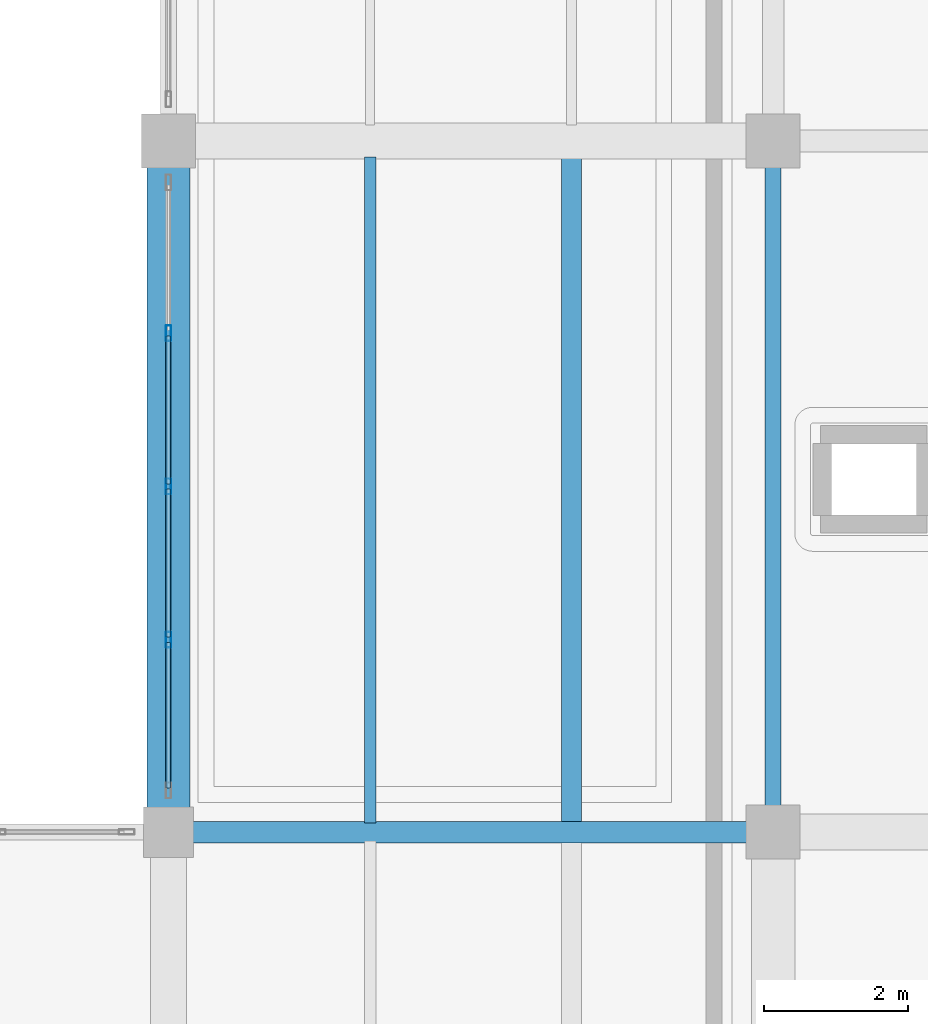
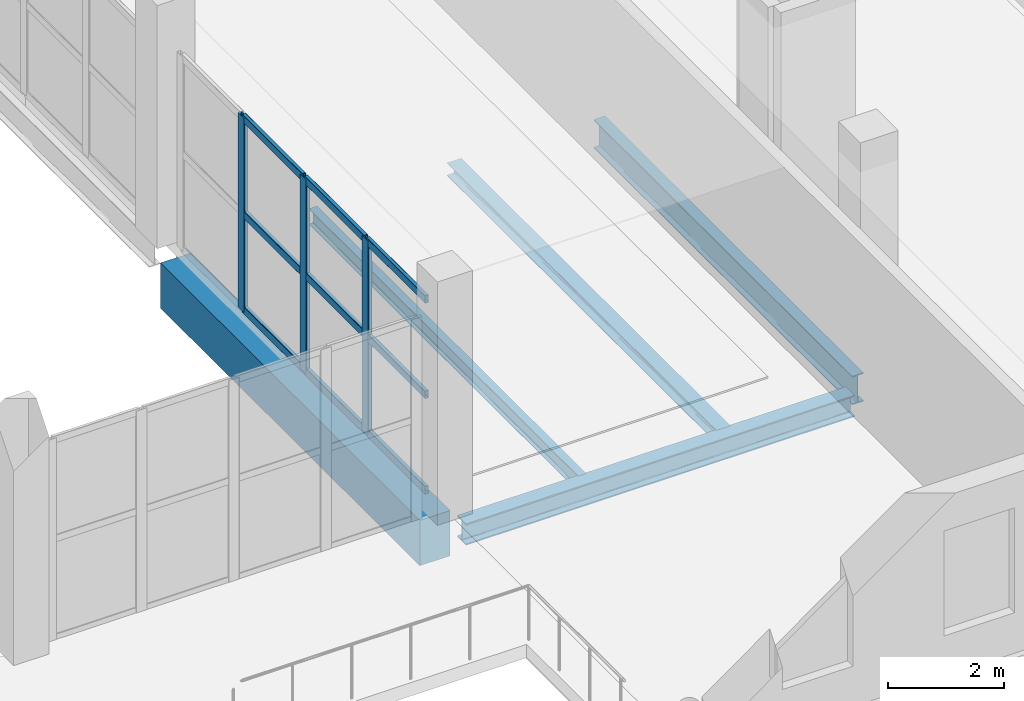
# One storey, part 15 of 66: 12 members, 5 beams, 1 element without a shape of its own.
"""IFC4 building model written with IfcOpenShell, lengths in metres."""

from ifc_helpers import new_model, si_unit, direction, frame, origin, origin_2d, place, context, subcontext, project, spatial, rectangle, hollow_rectangle, i_section, extrude, material, layer, layer_set, material_profile, profile_set, type_object, element, aggregate, save


model = new_model("IFC4")

# Units and contexts
model_context = context("Model", 3, precision=1e-05, world=origin(), true_north=direction((0.0, 1.0)))
body_context = subcontext(model_context, "Body", "Model", "MODEL_VIEW")
ifc_project = project(units=[si_unit("LENGTHUNIT", "METRE"), si_unit("AREAUNIT", "SQUARE_METRE"), si_unit("VOLUMEUNIT", "CUBIC_METRE"), si_unit("PLANEANGLEUNIT", "RADIAN"), si_unit("MASSUNIT", "GRAM", prefix="KILO")], contexts=[model_context])

# Site, building, storey
site_placement = place(None, origin())
site = spatial("IfcSite", under=ifc_project, at=site_placement, CompositionType="ELEMENT")
building_placement = place(site_placement, origin())
building = spatial("IfcBuilding", under=site, at=building_placement, Name="Zulmaris Art Gallery", CompositionType="ELEMENT")
storey_placement = place(building_placement, frame((0.0, 0.0, 5.39990234375)))
storey = spatial("IfcBuildingStorey", under=building, at=storey_placement, Name="L01", CompositionType="ELEMENT", Elevation=5.39990234375)

# Beams
ifc_material_1 = material(Name="Steel S355J2", Category="steel")
ifc_material_profile_1 = material_profile(ifc_material_1, i_section(OverallWidth=0.219970703125, OverallDepth=0.60009765625, WebThickness=0.011962890625, FlangeThickness=0.01904296875, FilletRadius=0.02392578125, at=origin_2d()), Name="IPE 600")
ifc_profile_set_1 = profile_set([ifc_material_profile_1], Name="Steel S355J2")
beam_type_1 = type_object("IfcBeamType", Name="BEAM-BM07", PredefinedType="BEAM", material=ifc_profile_set_1)
beam_1_placement = place(storey_placement, frame((133.199951171875, 21.9599609375, -0.6298828125), z_axis=(0.0, 1.0, 0.0), x_axis=(-1.0, 0.0, 0.0)))
element("IfcBeam", 1, at=beam_1_placement, inside=storey, type_object=beam_type_1, Name="L01 Y-girder (x=133.2, 21.6..31.2)", PredefinedType="BEAM", context=body_context, shape_type="SweptSolid", body=[
    extrude(i_section(OverallWidth=0.219970703125, OverallDepth=0.60009765625, WebThickness=0.011962890625, FlangeThickness=0.01904296875, FilletRadius=0.02392578125, at=origin_2d()), origin(), (0.0, 0.0, 1.0), 8.880126953125),
])
ifc_material_profile_2 = material_profile(ifc_material_1, i_section(OverallWidth=0.300048828125, OverallDepth=0.449951171875, WebThickness=0.013916015625, FlangeThickness=0.02587890625, FilletRadius=0.027099609375, at=origin_2d()), Name="HEB 450")
ifc_profile_set_2 = profile_set([ifc_material_profile_2], Name="Steel S355J2")
beam_type_2 = type_object("IfcBeamType", Name="BEAM-BM13", PredefinedType="BEAM", material=ifc_profile_set_2)
beam_2_placement = place(storey_placement, frame((125.135009765625, 21.60009765625, -0.554931640625), z_axis=(1.0, 0.0, 0.0), x_axis=(0.0, 1.0, 0.0)))
element("IfcBeam", 2, at=beam_2_placement, inside=storey, type_object=beam_type_2, Name="L01 X-girder (124.8..133.2, y=21.6)", PredefinedType="BEAM", context=body_context, shape_type="SweptSolid", body=[
    extrude(i_section(OverallWidth=0.300048828125, OverallDepth=0.449951171875, WebThickness=0.013916015625, FlangeThickness=0.02587890625, FilletRadius=0.027099609375, at=origin_2d()), origin(), (0.0, 0.0, 1.0), 7.705078125),
])
ifc_material_2 = material(Name="Concrete C40/50", Category="concrete")
ifc_material_profile_3 = material_profile(ifc_material_2, rectangle(XDim=0.60009765625, YDim=0.949951171875, at=origin_2d()), Name="RC 600x950")
ifc_profile_set_3 = profile_set([ifc_material_profile_3], Name="Concrete C40/50")
beam_type_3 = type_object("IfcBeamType", Name="BEAM-BM22", PredefinedType="BEAM", material=ifc_profile_set_3)
beam_3_placement = place(storey_placement, frame((124.800048828125, 21.93505859375, -0.804931640625), z_axis=(0.0, 1.0, 0.0), x_axis=(-1.0, 0.0, 0.0)))
element("IfcBeam", 3, at=beam_3_placement, inside=storey, type_object=beam_type_3, Name="L01 Y-girder (x=124.8, 21.6..31.2)", PredefinedType="BEAM", context=body_context, shape_type="SweptSolid", body=[
    extrude(rectangle(XDim=0.60009765625, YDim=0.949951171875, at=origin_2d()), origin(), (0.0, 0.0, 1.0), 8.905029296875),
])
ifc_material_profile_4 = material_profile(ifc_material_1, i_section(OverallWidth=0.159912109375, OverallDepth=0.330078125, WebThickness=0.007568359375, FlangeThickness=0.011474609375, FilletRadius=0.01806640625, at=origin_2d()), Name="IPE 330")
ifc_profile_set_4 = profile_set([ifc_material_profile_4], Name="Steel S355J2")
beam_type_4 = type_object("IfcBeamType", Name="BEAM-JS03", PredefinedType="JOIST", material=ifc_profile_set_4)
beam_4_placement = place(storey_placement, frame((127.60009765625, 21.72509765625, -0.494873046875), z_axis=(0.0, 1.0, 0.0), x_axis=(-1.0, 0.0, 0.0)))
element("IfcBeam", 4, at=beam_4_placement, inside=storey, type_object=beam_type_4, Name="L01 secondary joist at x=127.6", PredefinedType="JOIST", context=body_context, shape_type="SweptSolid", body=[
    extrude(i_section(OverallWidth=0.159912109375, OverallDepth=0.330078125, WebThickness=0.007568359375, FlangeThickness=0.011474609375, FilletRadius=0.01806640625, at=origin_2d()), origin(), (0.0, 0.0, 1.0), 9.25),
])
ifc_material_profile_5 = material_profile(ifc_material_1, i_section(OverallWidth=0.280029296875, OverallDepth=0.27001953125, WebThickness=0.008056640625, FlangeThickness=0.012939453125, FilletRadius=0.02392578125, at=origin_2d()), Name="HEA 280")
ifc_profile_set_5 = profile_set([ifc_material_profile_5], Name="Steel S355J2")
beam_type_5 = type_object("IfcBeamType", Name="BEAM-JS04", PredefinedType="JOIST", material=ifc_profile_set_5)
beam_5_placement = place(storey_placement, frame((130.39990234375, 21.72509765625, -0.46484375), z_axis=(0.0, 1.0, 0.0), x_axis=(-1.0, 0.0, 0.0)))
element("IfcBeam", 5, at=beam_5_placement, inside=storey, type_object=beam_type_5, Name="L01 secondary joist at x=130.4", PredefinedType="JOIST", context=body_context, shape_type="SweptSolid", body=[
    extrude(i_section(OverallWidth=0.280029296875, OverallDepth=0.27001953125, WebThickness=0.008056640625, FlangeThickness=0.012939453125, FilletRadius=0.02392578125, at=origin_2d()), origin(), (0.0, 0.0, 1.0), 9.25),
])

# Curtain wall, members
ifc_material_3 = material(Name="Unitised Low-E Gallery Curtain Wall", Category="aluminium")
ifc_layer = layer(ifc_material_3, 0.179931640625)
ifc_layer_set = layer_set([ifc_layer], Name="Unitised Low-E Gallery Curtain Wall")
curtain_wall_type = type_object("IfcCurtainWallType", Name="CW-CW01", PredefinedType="NOTDEFINED", material=ifc_layer_set)
curtain_wall_placement = place(storey_placement, origin())
curtain_wall = element("IfcCurtainWall", 6, at=curtain_wall_placement, inside=storey, type_object=curtain_wall_type, Name="L01 curtain wall 100", PredefinedType="NOTDEFINED")
ifc_material_4 = material(Name="Anodised Bronze Aluminium", Category="aluminium")
ifc_material_profile_6 = material_profile(ifc_material_4, hollow_rectangle(XDim=0.074951171875, YDim=0.219970703125, WallThickness=0.0048828125, InnerFilletRadius=0.007568359375, OuterFilletRadius=0.012451171875, at=origin_2d()), Name="ALU 75x220x5")
ifc_profile_set_6 = profile_set([ifc_material_profile_6], Name="Anodised Bronze Aluminium")
member_type_1 = type_object("IfcMemberType", Name="CWMUL-02", PredefinedType="MULLION", material=ifc_profile_set_6)
member_1_placement = place(storey_placement, frame((124.800048828125, 24.27001953125, 0.0), z_axis=(0.0, 0.0, 1.0), x_axis=(-1.0, 0.0, 0.0)))
member_1 = element("IfcMember", 7, at=member_1_placement, type_object=member_type_1, Name="CW01 mullion 2", PredefinedType="MULLION", context=body_context, shape_type="SweptSolid", body=[
    extrude(hollow_rectangle(XDim=0.074951171875, YDim=0.219970703125, WallThickness=0.0048828125, InnerFilletRadius=0.007568359375, OuterFilletRadius=0.012451171875, at=origin_2d()), origin(), (0.0, 0.0, 1.0), 4.0751953125),
])
member_2_placement = place(storey_placement, frame((124.800048828125, 26.39990234375, 0.0), z_axis=(0.0, 0.0, 1.0), x_axis=(-1.0, 0.0, 0.0)))
member_2 = element("IfcMember", 8, at=member_2_placement, type_object=member_type_1, Name="CW01 mullion 3", PredefinedType="MULLION", context=body_context, shape_type="SweptSolid", body=[
    extrude(hollow_rectangle(XDim=0.074951171875, YDim=0.219970703125, WallThickness=0.0048828125, InnerFilletRadius=0.007568359375, OuterFilletRadius=0.012451171875, at=origin_2d()), origin(), (0.0, 0.0, 1.0), 4.0751953125),
])
member_3_placement = place(storey_placement, frame((124.800048828125, 28.530029296875, 0.0), z_axis=(0.0, 0.0, 1.0), x_axis=(-1.0, 0.0, 0.0)))
member_3 = element("IfcMember", 9, at=member_3_placement, type_object=member_type_1, Name="CW01 mullion 4", PredefinedType="MULLION", context=body_context, shape_type="SweptSolid", body=[
    extrude(hollow_rectangle(XDim=0.074951171875, YDim=0.219970703125, WallThickness=0.0048828125, InnerFilletRadius=0.007568359375, OuterFilletRadius=0.012451171875, at=origin_2d()), origin(), (0.0, 0.0, 1.0), 4.0751953125),
])
ifc_material_profile_7 = material_profile(ifc_material_4, hollow_rectangle(XDim=0.074951171875, YDim=0.159912109375, WallThickness=0.00390625, InnerFilletRadius=0.006103515625, OuterFilletRadius=0.010009765625, at=origin_2d()), Name="ALU 75x160x4")
ifc_profile_set_7 = profile_set([ifc_material_profile_7], Name="Anodised Bronze Aluminium")
member_type_2 = type_object("IfcMemberType", Name="CWTRN-02", PredefinedType="USERDEFINED", material=ifc_profile_set_7)
member_4_placement = place(storey_placement, frame((124.800048828125, 22.215087890625, 0.03759765625), z_axis=(0.0, 1.0, 0.0), x_axis=(-1.0, 0.0, 0.0)))
member_4 = element("IfcMember", 10, at=member_4_placement, type_object=member_type_2, Name="CW01 transom 1.1", ObjectType="TRANSOM", PredefinedType="USERDEFINED", context=body_context, shape_type="SweptSolid", body=[
    extrude(hollow_rectangle(XDim=0.074951171875, YDim=0.159912109375, WallThickness=0.00390625, InnerFilletRadius=0.006103515625, OuterFilletRadius=0.010009765625, at=origin_2d()), origin(), (0.0, 0.0, 1.0), 2.017333984375),
])
member_5_placement = place(storey_placement, frame((124.800048828125, 22.215087890625, 2.03759765625), z_axis=(0.0, 1.0, 0.0), x_axis=(-1.0, 0.0, 0.0)))
member_5 = element("IfcMember", 11, at=member_5_placement, type_object=member_type_2, Name="CW01 transom 1.2", ObjectType="TRANSOM", PredefinedType="USERDEFINED", context=body_context, shape_type="SweptSolid", body=[
    extrude(hollow_rectangle(XDim=0.074951171875, YDim=0.159912109375, WallThickness=0.00390625, InnerFilletRadius=0.006103515625, OuterFilletRadius=0.010009765625, at=origin_2d()), origin(), (0.0, 0.0, 1.0), 2.017333984375),
])
member_6_placement = place(storey_placement, frame((124.800048828125, 22.215087890625, 4.03759765625), z_axis=(0.0, 1.0, 0.0), x_axis=(-1.0, 0.0, 0.0)))
member_6 = element("IfcMember", 12, at=member_6_placement, type_object=member_type_2, Name="CW01 transom 1.3", ObjectType="TRANSOM", PredefinedType="USERDEFINED", context=body_context, shape_type="SweptSolid", body=[
    extrude(hollow_rectangle(XDim=0.074951171875, YDim=0.159912109375, WallThickness=0.00390625, InnerFilletRadius=0.006103515625, OuterFilletRadius=0.010009765625, at=origin_2d()), origin(), (0.0, 0.0, 1.0), 2.017333984375),
])
member_7_placement = place(storey_placement, frame((124.800048828125, 24.3076171875, 0.03759765625), z_axis=(0.0, 1.0, 0.0), x_axis=(-1.0, 0.0, 0.0)))
member_7 = element("IfcMember", 13, at=member_7_placement, type_object=member_type_2, Name="CW01 transom 2.1", ObjectType="TRANSOM", PredefinedType="USERDEFINED", context=body_context, shape_type="SweptSolid", body=[
    extrude(hollow_rectangle(XDim=0.074951171875, YDim=0.159912109375, WallThickness=0.00390625, InnerFilletRadius=0.006103515625, OuterFilletRadius=0.010009765625, at=origin_2d()), origin(), (0.0, 0.0, 1.0), 2.054931640625),
])
member_8_placement = place(storey_placement, frame((124.800048828125, 24.3076171875, 2.03759765625), z_axis=(0.0, 1.0, 0.0), x_axis=(-1.0, 0.0, 0.0)))
member_8 = element("IfcMember", 14, at=member_8_placement, type_object=member_type_2, Name="CW01 transom 2.2", ObjectType="TRANSOM", PredefinedType="USERDEFINED", context=body_context, shape_type="SweptSolid", body=[
    extrude(hollow_rectangle(XDim=0.074951171875, YDim=0.159912109375, WallThickness=0.00390625, InnerFilletRadius=0.006103515625, OuterFilletRadius=0.010009765625, at=origin_2d()), origin(), (0.0, 0.0, 1.0), 2.054931640625),
])
member_9_placement = place(storey_placement, frame((124.800048828125, 24.3076171875, 4.03759765625), z_axis=(0.0, 1.0, 0.0), x_axis=(-1.0, 0.0, 0.0)))
member_9 = element("IfcMember", 15, at=member_9_placement, type_object=member_type_2, Name="CW01 transom 2.3", ObjectType="TRANSOM", PredefinedType="USERDEFINED", context=body_context, shape_type="SweptSolid", body=[
    extrude(hollow_rectangle(XDim=0.074951171875, YDim=0.159912109375, WallThickness=0.00390625, InnerFilletRadius=0.006103515625, OuterFilletRadius=0.010009765625, at=origin_2d()), origin(), (0.0, 0.0, 1.0), 2.054931640625),
])
member_10_placement = place(storey_placement, frame((124.800048828125, 26.4375, 0.03759765625), z_axis=(0.0, 1.0, 0.0), x_axis=(-1.0, 0.0, 0.0)))
member_10 = element("IfcMember", 16, at=member_10_placement, type_object=member_type_2, Name="CW01 transom 3.1", ObjectType="TRANSOM", PredefinedType="USERDEFINED", context=body_context, shape_type="SweptSolid", body=[
    extrude(hollow_rectangle(XDim=0.074951171875, YDim=0.159912109375, WallThickness=0.00390625, InnerFilletRadius=0.006103515625, OuterFilletRadius=0.010009765625, at=origin_2d()), origin(), (0.0, 0.0, 1.0), 2.054931640625),
])
member_11_placement = place(storey_placement, frame((124.800048828125, 26.4375, 2.03759765625), z_axis=(0.0, 1.0, 0.0), x_axis=(-1.0, 0.0, 0.0)))
member_11 = element("IfcMember", 17, at=member_11_placement, type_object=member_type_2, Name="CW01 transom 3.2", ObjectType="TRANSOM", PredefinedType="USERDEFINED", context=body_context, shape_type="SweptSolid", body=[
    extrude(hollow_rectangle(XDim=0.074951171875, YDim=0.159912109375, WallThickness=0.00390625, InnerFilletRadius=0.006103515625, OuterFilletRadius=0.010009765625, at=origin_2d()), origin(), (0.0, 0.0, 1.0), 2.054931640625),
])
member_12_placement = place(storey_placement, frame((124.800048828125, 26.4375, 4.03759765625), z_axis=(0.0, 1.0, 0.0), x_axis=(-1.0, 0.0, 0.0)))
member_12 = element("IfcMember", 18, at=member_12_placement, type_object=member_type_2, Name="CW01 transom 3.3", ObjectType="TRANSOM", PredefinedType="USERDEFINED", context=body_context, shape_type="SweptSolid", body=[
    extrude(hollow_rectangle(XDim=0.074951171875, YDim=0.159912109375, WallThickness=0.00390625, InnerFilletRadius=0.006103515625, OuterFilletRadius=0.010009765625, at=origin_2d()), origin(), (0.0, 0.0, 1.0), 2.054931640625),
])
aggregate(curtain_wall, [member_1, member_2, member_3, member_4, member_5, member_6, member_7, member_8, member_9, member_10, member_11, member_12])

save(model, "model.ifc")
